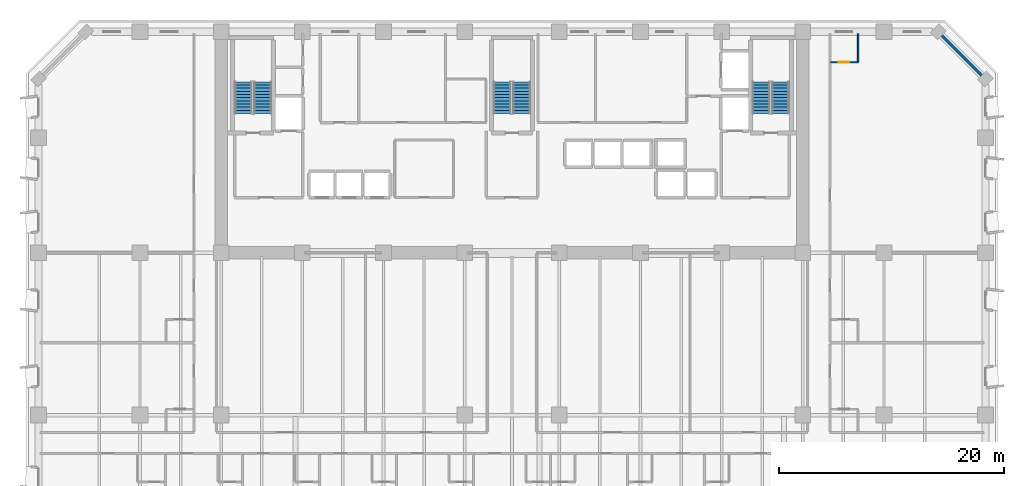
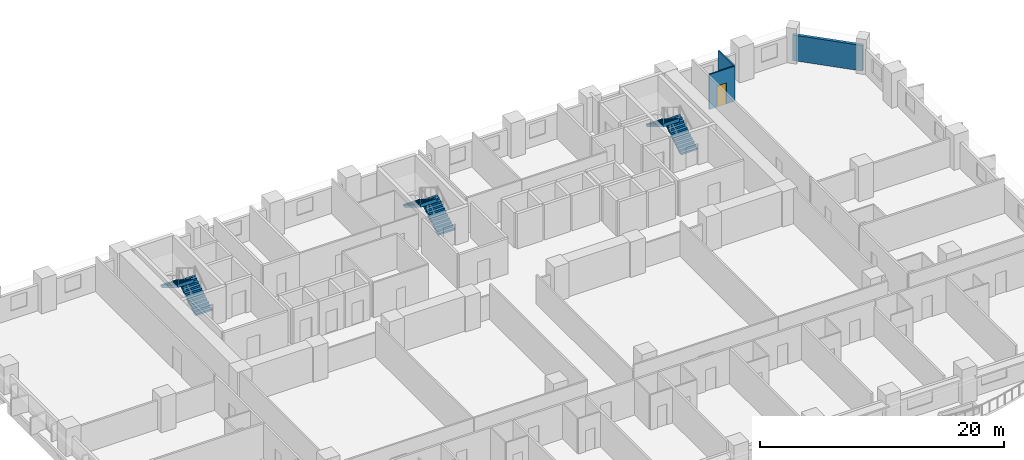
# One storey, part 11 of 15: 6 stair flights, 3 walls, 1 door, 1 opening, 3 elements without a shape of their own.
"""IFC4 building model written with IfcOpenShell, lengths in metres."""

from ifc_helpers import new_model, si_unit, direction, frame, frame_2d, origin, place, context, subcontext, project, spatial, polyline, rectangle, outline, extrude, material, layer, layer_set, type_object, element, fill, aggregate, save


model = new_model("IFC4")

# Units and contexts
model_context = context("Model", 3, precision=1e-05, world=origin(), true_north=direction((0.0, 1.0)))
body_context = subcontext(model_context, "Body", "Model", "MODEL_VIEW")
ifc_project = project(units=[si_unit("LENGTHUNIT", "METRE"), si_unit("AREAUNIT", "SQUARE_METRE"), si_unit("VOLUMEUNIT", "CUBIC_METRE"), si_unit("PLANEANGLEUNIT", "RADIAN"), si_unit("MASSUNIT", "GRAM", prefix="KILO")], contexts=[model_context])

# Site, building, storey
site_placement = place(None, origin())
site = spatial("IfcSite", under=ifc_project, at=site_placement, CompositionType="ELEMENT")
building_placement = place(site_placement, origin())
building = spatial("IfcBuilding", under=site, at=building_placement, Name="Kaelvorn Grand Hotel", CompositionType="ELEMENT")
storey_placement = place(building_placement, frame((0.0, 0.0, 50.14990234375)))
storey = spatial("IfcBuildingStorey", under=building, at=storey_placement, Name="L10", CompositionType="ELEMENT", Elevation=50.14990234375)

# Wall
ifc_material_1 = material(Name="Concrete C40/50", Category="concrete")
ifc_layer_1 = layer(ifc_material_1, 0.260009765625)
ifc_layer_set_1 = layer_set([ifc_layer_1], Name="Concrete C40/50")
wall_type_1 = type_object("IfcWallType", Name="WL-EXT-260-C40", PredefinedType="SOLIDWALL", material=ifc_layer_set_1)
wall_1_placement = place(storey_placement, frame((84.0, 44.800048828125, 0.0), z_axis=(0.0, 0.0, 1.0), x_axis=(-0.707106781187, 0.707106781187, 0.0)))
element("IfcWall", 1, at=wall_1_placement, inside=storey, type_object=wall_type_1, Name="L10 Exterior Architectural Concrete Wall 04", PredefinedType="SOLIDWALL", context=body_context, shape_type="SweptSolid", body=[
    extrude(rectangle(XDim=5.939697265625, YDim=0.260009765625, at=frame_2d((2.9697265625, 0.0))), origin(), (0.0, 0.0, 1.0), 2.56005859375),
])

# Wall, opening, door
ifc_material_2 = material(Name="Moisture-Resistant Tile & Stud Board")
ifc_layer_2 = layer(ifc_material_2, 0.125)
ifc_layer_set_2 = layer_set([ifc_layer_2], Name="Moisture-Resistant Tile & Stud Board")
wall_type_2 = type_object("IfcWallType", Name="WL-PART-125-WET", PredefinedType="PARTITIONING", material=ifc_layer_set_2)
wall_2_placement = place(storey_placement, frame((70.294921875, 46.300048828125, 0.0), z_axis=(0.0, 0.0, 1.0), x_axis=(1.0, 0.0, 0.0)))
wall_2 = element("IfcWall", 2, at=wall_2_placement, inside=storey, type_object=wall_type_2, Name="L10 En-suite Bathroom L10-16 S Partition", PredefinedType="PARTITIONING", context=body_context, shape_type="SweptSolid", body=[
    extrude(rectangle(XDim=2.405029296875, YDim=0.125, at=frame_2d((1.20263671875, 0.0))), origin(), (0.0, 0.0, 1.0), 3.510009765625),
])
opening_placement = place(wall_2_placement, frame((0.705078125, 0.0, 0.0)))
opening = element("IfcOpeningElement", 3, at=opening_placement, cuts=wall_2, Name="Opening DI4", PredefinedType="OPENING", context=body_context, shape_type="SweptSolid", body=[
    extrude(rectangle(XDim=0.89990234375, YDim=2.10009765625, at=frame_2d((0.449951171875, 1.050048828125))), frame((0.0, 0.072509765625, 0.0), z_axis=(0.0, -1.0, 0.0), x_axis=(1.0, 0.0, 0.0)), (0.0, 0.0, 1.0), 0.14501953125),
])
ifc_material_3 = material(Name="Timber Veneer Leaf", Category="wood")
door_type = type_object("IfcDoorType", Name="DR-INT-BATH-900x2100", OperationType="NOTDEFINED", PredefinedType="DOOR", material=ifc_material_3)
door_placement = place(opening_placement, origin())
door = element("IfcDoor", 4, at=door_placement, inside=storey, type_object=door_type, Name="L10 En-suite Bathroom L10-16 Door", OperationType="SINGLE_SWING_LEFT", OverallHeight=2.10009765625, OverallWidth=0.89990234375, PredefinedType="DOOR", context=body_context, shape_type="SweptSolid", body=[
    extrude(rectangle(XDim=0.89990234375, YDim=2.10009765625, at=frame_2d((0.449951171875, 1.050048828125))), frame((0.0, 0.02490234375, 0.0), z_axis=(0.0, -1.0, 0.0), x_axis=(1.0, 0.0, 0.0)), (0.0, 0.0, 1.0), 0.050048828125),
])
fill(opening, door)

# Wall
wall_3_placement = place(storey_placement, frame((72.699951171875, 46.367431640625, 0.0), z_axis=(0.0, 0.0, 1.0), x_axis=(0.0, 1.0, 0.0)))
element("IfcWall", 5, at=wall_3_placement, inside=storey, type_object=wall_type_2, Name="L10 En-suite Bathroom L10-16 E Partition", PredefinedType="PARTITIONING", context=body_context, shape_type="SweptSolid", body=[
    extrude(rectangle(XDim=2.482666015625, YDim=0.125, at=frame_2d((1.2412109375, 0.0))), origin(), (0.0, 0.0, 1.0), 3.510009765625),
])

# Stair, stair flights
stair_type = type_object("IfcStairType", Name="STR-DOG-1560-R06", PredefinedType="HALF_TURN_STAIR", material=ifc_material_1)
stair_1_placement = place(storey_placement, origin())
stair_1 = element("IfcStair", 6, at=stair_1_placement, inside=storey, type_object=stair_type, Name="L10 West Core Exit Stair ST1", PredefinedType="HALF_TURN_STAIR")
stair_flight_type = type_object("IfcStairFlightType", Name="FLG-DOG-1560-R06", PredefinedType="STRAIGHT", material=ifc_material_1)
stair_flight_1_placement = place(storey_placement, frame((19.89990234375, 41.760009765625, 0.0), z_axis=(0.0, 0.0, 1.0), x_axis=(0.0, 1.0, 0.0)))
stair_flight_1 = element("IfcStairFlight", 7, at=stair_flight_1_placement, type_object=stair_flight_type, Name="ST1 flight 1", NumberOfRisers=11, NumberOfTreads=10, PredefinedType="STRAIGHT", RiserHeight=0.170454545, TreadLength=0.28, context=body_context, shape_type="SweptSolid", body=[
    extrude(outline(polyline([(-0.0048828125, 0.0), (-0.0048828125, 0.0400390625), (0.0, 0.17041015625), (0.280029296875, 0.17041015625), (0.280029296875, 0.3408203125), (0.56005859375, 0.3408203125), (0.56005859375, 0.511474609375), (0.840087890625, 0.511474609375), (0.840087890625, 0.681884765625), (1.1201171875, 0.681884765625), (1.1201171875, 0.852294921875), (1.39990234375, 0.852294921875), (1.39990234375, 1.022705078125), (1.679931640625, 1.022705078125), (1.679931640625, 1.193115234375), (1.9599609375, 1.193115234375), (1.9599609375, 1.363525390625), (2.239990234375, 1.363525390625), (2.239990234375, 1.5341796875), (2.52001953125, 1.5341796875), (2.52001953125, 1.70458984375), (2.800048828125, 1.70458984375), (2.800048828125, 1.875), (2.804931640625, 1.875), (2.804931640625, 1.529052734375), (0.288330078125, 0.0), (-0.0048828125, 0.0)])), frame((0.0, 0.780029296875, 0.0), z_axis=(0.0, -1.0, 0.0), x_axis=(1.0, 0.0, 0.0)), (0.0, 0.0, 1.0), 1.56005859375),
])
stair_flight_2_placement = place(storey_placement, frame((18.179931640625, 44.56005859375, 1.875), z_axis=(0.0, 0.0, 1.0), x_axis=(0.0, -1.0, 0.0)))
stair_flight_2 = element("IfcStairFlight", 8, at=stair_flight_2_placement, type_object=stair_flight_type, Name="ST1 flight 2", NumberOfRisers=11, NumberOfTreads=10, PredefinedType="STRAIGHT", RiserHeight=0.170454545, TreadLength=0.28, context=body_context, shape_type="SweptSolid", body=[
    extrude(outline(polyline([(-0.0048828125, 0.0), (-0.0048828125, 0.0400390625), (0.0, 0.17041015625), (0.280029296875, 0.17041015625), (0.280029296875, 0.3408203125), (0.56005859375, 0.3408203125), (0.56005859375, 0.511474609375), (0.840087890625, 0.511474609375), (0.840087890625, 0.681884765625), (1.1201171875, 0.681884765625), (1.1201171875, 0.852294921875), (1.39990234375, 0.852294921875), (1.39990234375, 1.022705078125), (1.679931640625, 1.022705078125), (1.679931640625, 1.193115234375), (1.9599609375, 1.193115234375), (1.9599609375, 1.363525390625), (2.239990234375, 1.363525390625), (2.239990234375, 1.5341796875), (2.52001953125, 1.5341796875), (2.52001953125, 1.70458984375), (2.800048828125, 1.70458984375), (2.800048828125, 1.875), (2.804931640625, 1.875), (2.804931640625, 1.529052734375), (0.288330078125, 0.0), (-0.0048828125, 0.0)])), frame((0.0, 0.780029296875, 0.0), z_axis=(0.0, -1.0, 0.0), x_axis=(1.0, 0.0, 0.0)), (0.0, 0.0, 1.0), 1.56005859375),
])
aggregate(stair_1, [stair_flight_1, stair_flight_2])

stair_2_placement = place(storey_placement, origin())
stair_2 = element("IfcStair", 9, at=stair_2_placement, inside=storey, type_object=stair_type, Name="L10 Central Core Exit Stair ST2", PredefinedType="HALF_TURN_STAIR")
stair_flight_3_placement = place(storey_placement, frame((42.860107421875, 41.760009765625, 0.0), z_axis=(0.0, 0.0, 1.0), x_axis=(0.0, 1.0, 0.0)))
stair_flight_3 = element("IfcStairFlight", 10, at=stair_flight_3_placement, type_object=stair_flight_type, Name="ST2 flight 1", NumberOfRisers=11, NumberOfTreads=10, PredefinedType="STRAIGHT", RiserHeight=0.170454545, TreadLength=0.28, context=body_context, shape_type="SweptSolid", body=[
    extrude(outline(polyline([(-0.0048828125, 0.0), (-0.0048828125, 0.0400390625), (0.0, 0.17041015625), (0.280029296875, 0.17041015625), (0.280029296875, 0.3408203125), (0.56005859375, 0.3408203125), (0.56005859375, 0.511474609375), (0.840087890625, 0.511474609375), (0.840087890625, 0.681884765625), (1.1201171875, 0.681884765625), (1.1201171875, 0.852294921875), (1.39990234375, 0.852294921875), (1.39990234375, 1.022705078125), (1.679931640625, 1.022705078125), (1.679931640625, 1.193115234375), (1.9599609375, 1.193115234375), (1.9599609375, 1.363525390625), (2.239990234375, 1.363525390625), (2.239990234375, 1.5341796875), (2.52001953125, 1.5341796875), (2.52001953125, 1.70458984375), (2.800048828125, 1.70458984375), (2.800048828125, 1.875), (2.804931640625, 1.875), (2.804931640625, 1.529052734375), (0.288330078125, 0.0), (-0.0048828125, 0.0)])), frame((0.0, 0.780029296875, 0.0), z_axis=(0.0, -1.0, 0.0), x_axis=(1.0, 0.0, 0.0)), (0.0, 0.0, 1.0), 1.56005859375),
])
stair_flight_4_placement = place(storey_placement, frame((41.139892578125, 44.56005859375, 1.875), z_axis=(0.0, 0.0, 1.0), x_axis=(0.0, -1.0, 0.0)))
stair_flight_4 = element("IfcStairFlight", 11, at=stair_flight_4_placement, type_object=stair_flight_type, Name="ST2 flight 2", NumberOfRisers=11, NumberOfTreads=10, PredefinedType="STRAIGHT", RiserHeight=0.170454545, TreadLength=0.28, context=body_context, shape_type="SweptSolid", body=[
    extrude(outline(polyline([(-0.0048828125, 0.0), (-0.0048828125, 0.0400390625), (0.0, 0.17041015625), (0.280029296875, 0.17041015625), (0.280029296875, 0.3408203125), (0.56005859375, 0.3408203125), (0.56005859375, 0.511474609375), (0.840087890625, 0.511474609375), (0.840087890625, 0.681884765625), (1.1201171875, 0.681884765625), (1.1201171875, 0.852294921875), (1.39990234375, 0.852294921875), (1.39990234375, 1.022705078125), (1.679931640625, 1.022705078125), (1.679931640625, 1.193115234375), (1.9599609375, 1.193115234375), (1.9599609375, 1.363525390625), (2.239990234375, 1.363525390625), (2.239990234375, 1.5341796875), (2.52001953125, 1.5341796875), (2.52001953125, 1.70458984375), (2.800048828125, 1.70458984375), (2.800048828125, 1.875), (2.804931640625, 1.875), (2.804931640625, 1.529052734375), (0.288330078125, 0.0), (-0.0048828125, 0.0)])), frame((0.0, 0.780029296875, 0.0), z_axis=(0.0, -1.0, 0.0), x_axis=(1.0, 0.0, 0.0)), (0.0, 0.0, 1.0), 1.56005859375),
])
aggregate(stair_2, [stair_flight_3, stair_flight_4])

stair_3_placement = place(storey_placement, origin())
stair_3 = element("IfcStair", 12, at=stair_3_placement, inside=storey, type_object=stair_type, Name="L10 East Core Exit Stair ST3", PredefinedType="HALF_TURN_STAIR")
stair_flight_5_placement = place(storey_placement, frame((65.820068359375, 41.760009765625, 0.0), z_axis=(0.0, 0.0, 1.0), x_axis=(0.0, 1.0, 0.0)))
stair_flight_5 = element("IfcStairFlight", 13, at=stair_flight_5_placement, type_object=stair_flight_type, Name="ST3 flight 1", NumberOfRisers=11, NumberOfTreads=10, PredefinedType="STRAIGHT", RiserHeight=0.170454545, TreadLength=0.28, context=body_context, shape_type="SweptSolid", body=[
    extrude(outline(polyline([(-0.0048828125, 0.0), (-0.0048828125, 0.0400390625), (0.0, 0.17041015625), (0.280029296875, 0.17041015625), (0.280029296875, 0.3408203125), (0.56005859375, 0.3408203125), (0.56005859375, 0.511474609375), (0.840087890625, 0.511474609375), (0.840087890625, 0.681884765625), (1.1201171875, 0.681884765625), (1.1201171875, 0.852294921875), (1.39990234375, 0.852294921875), (1.39990234375, 1.022705078125), (1.679931640625, 1.022705078125), (1.679931640625, 1.193115234375), (1.9599609375, 1.193115234375), (1.9599609375, 1.363525390625), (2.239990234375, 1.363525390625), (2.239990234375, 1.5341796875), (2.52001953125, 1.5341796875), (2.52001953125, 1.70458984375), (2.800048828125, 1.70458984375), (2.800048828125, 1.875), (2.804931640625, 1.875), (2.804931640625, 1.529052734375), (0.288330078125, 0.0), (-0.0048828125, 0.0)])), frame((0.0, 0.780029296875, 0.0), z_axis=(0.0, -1.0, 0.0), x_axis=(1.0, 0.0, 0.0)), (0.0, 0.0, 1.0), 1.56005859375),
])
stair_flight_6_placement = place(storey_placement, frame((64.10009765625, 44.56005859375, 1.875), z_axis=(0.0, 0.0, 1.0), x_axis=(0.0, -1.0, 0.0)))
stair_flight_6 = element("IfcStairFlight", 14, at=stair_flight_6_placement, type_object=stair_flight_type, Name="ST3 flight 2", NumberOfRisers=11, NumberOfTreads=10, PredefinedType="STRAIGHT", RiserHeight=0.170454545, TreadLength=0.28, context=body_context, shape_type="SweptSolid", body=[
    extrude(outline(polyline([(-0.0048828125, 0.0), (-0.0048828125, 0.0400390625), (0.0, 0.17041015625), (0.280029296875, 0.17041015625), (0.280029296875, 0.3408203125), (0.56005859375, 0.3408203125), (0.56005859375, 0.511474609375), (0.840087890625, 0.511474609375), (0.840087890625, 0.681884765625), (1.1201171875, 0.681884765625), (1.1201171875, 0.852294921875), (1.39990234375, 0.852294921875), (1.39990234375, 1.022705078125), (1.679931640625, 1.022705078125), (1.679931640625, 1.193115234375), (1.9599609375, 1.193115234375), (1.9599609375, 1.363525390625), (2.239990234375, 1.363525390625), (2.239990234375, 1.5341796875), (2.52001953125, 1.5341796875), (2.52001953125, 1.70458984375), (2.800048828125, 1.70458984375), (2.800048828125, 1.875), (2.804931640625, 1.875), (2.804931640625, 1.529052734375), (0.288330078125, 0.0), (-0.0048828125, 0.0)])), frame((0.0, 0.780029296875, 0.0), z_axis=(0.0, -1.0, 0.0), x_axis=(1.0, 0.0, 0.0)), (0.0, 0.0, 1.0), 1.56005859375),
])
aggregate(stair_3, [stair_flight_5, stair_flight_6])

save(model, "model.ifc")
